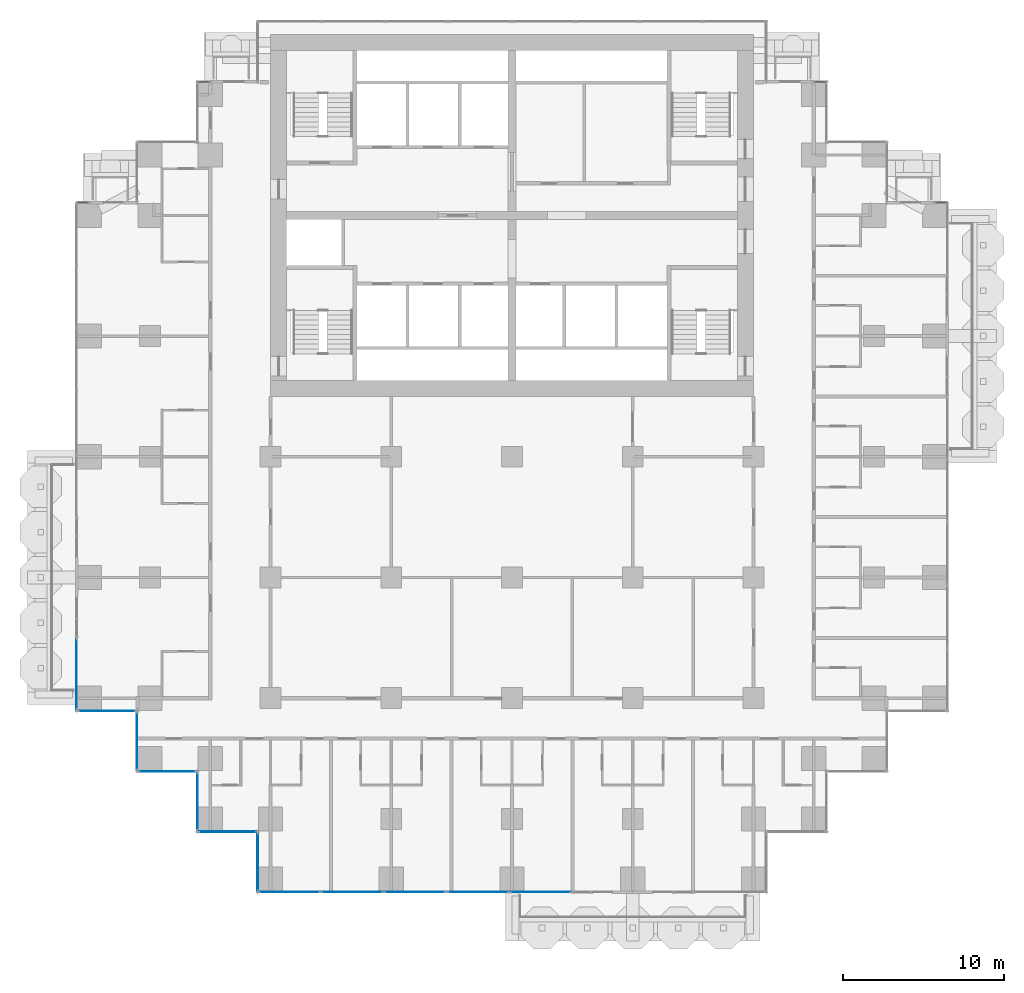
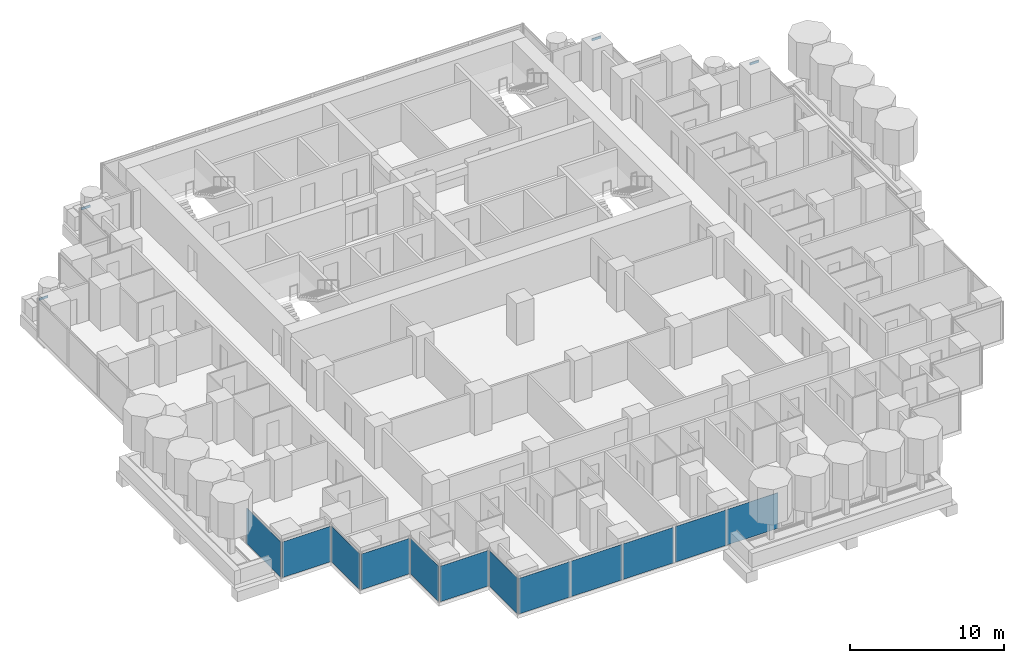
# One storey, part 7 of 20: 12 plates, 4 members, 13 elements without a shape of their own.
"""IFC4 building model written with IfcOpenShell, lengths in metres."""

from ifc_helpers import new_model, si_unit, direction, frame, origin, origin_2d, place, context, subcontext, project, spatial, rectangle, extrude, material, layer, layer_set, material_profile, profile_set, type_object, element, aggregate, save


model = new_model("IFC4")

# Units and contexts
model_context = context("Model", 3, precision=1e-05, world=origin(), true_north=direction((0.0, 1.0)))
body_context = subcontext(model_context, "Body", "Model", "MODEL_VIEW")
ifc_project = project(units=[si_unit("LENGTHUNIT", "METRE"), si_unit("AREAUNIT", "SQUARE_METRE"), si_unit("VOLUMEUNIT", "CUBIC_METRE"), si_unit("PLANEANGLEUNIT", "RADIAN"), si_unit("MASSUNIT", "GRAM", prefix="KILO")], contexts=[model_context])

# Site, building, storey
site_placement = place(None, origin())
site = spatial("IfcSite", under=ifc_project, at=site_placement, CompositionType="ELEMENT")
building_placement = place(site_placement, origin())
building = spatial("IfcBuilding", under=site, at=building_placement, Name="Pilkhan Gate Tower", CompositionType="ELEMENT")
storey_placement = place(building_placement, frame((0.0, 0.0, 92.300048828125)))
storey = spatial("IfcBuildingStorey", under=building, at=storey_placement, Name="L22", CompositionType="ELEMENT", Elevation=92.300048828125)

# Curtain wall, member
ifc_material_1 = material(Name="Pale anodised aluminium, clear low-iron double glazing", Category="aluminium")
curtain_wall_type = type_object("IfcCurtainWallType", Name="Hotel unitised curtain wall CW-H", PredefinedType="USERDEFINED", material=ifc_material_1)
curtain_wall_1_placement = place(storey_placement, origin())
curtain_wall_1 = element("IfcCurtainWall", 1, at=curtain_wall_1_placement, inside=storey, type_object=curtain_wall_type, Name="Hotel unitised curtain wall CW-H L22 N", ObjectType="UNITISED CURTAIN WALL", PredefinedType="USERDEFINED")
ifc_material_2 = material(Name="Pale anodised aluminium", Category="aluminium")
ifc_material_profile = material_profile(ifc_material_2, rectangle(XDim=0.06494140625, YDim=0.179931640625, at=origin_2d()), Name="Transom 180x65")
ifc_profile_set = profile_set([ifc_material_profile], Name="Pale anodised aluminium")
member_type = type_object("IfcMemberType", Name="Transom CW-H 180x65", PredefinedType="USERDEFINED", material=ifc_profile_set)
member_1_placement = place(storey_placement, frame((101.31494140625, 83.294921875, 2.909912109375), z_axis=(1.0, 0.0, 0.0), x_axis=(0.0, 1.0, 0.0)))
member_1 = element("IfcMember", 2, at=member_1_placement, type_object=member_type, Name="CW-H transom 1", ObjectType="TRANSOM", PredefinedType="USERDEFINED", context=body_context, shape_type="SweptSolid", body=[
    extrude(rectangle(XDim=0.06494140625, YDim=0.179931640625, at=origin_2d()), origin(), (0.0, 0.0, 1.0), 0.6650390625),
])
aggregate(curtain_wall_1, [member_1])

curtain_wall_2_placement = place(storey_placement, origin())
curtain_wall_2 = element("IfcCurtainWall", 3, at=curtain_wall_2_placement, inside=storey, type_object=curtain_wall_type, Name="Hotel unitised curtain wall CW-H L22 N", ObjectType="UNITISED CURTAIN WALL", PredefinedType="USERDEFINED")
member_2_placement = place(storey_placement, frame((93.81494140625, 90.794921875, 2.909912109375), z_axis=(1.0, 0.0, 0.0), x_axis=(0.0, 1.0, 0.0)))
member_2 = element("IfcMember", 4, at=member_2_placement, type_object=member_type, Name="CW-H transom 1", ObjectType="TRANSOM", PredefinedType="USERDEFINED", context=body_context, shape_type="SweptSolid", body=[
    extrude(rectangle(XDim=0.06494140625, YDim=0.179931640625, at=origin_2d()), origin(), (0.0, 0.0, 1.0), 0.6650390625),
])
aggregate(curtain_wall_2, [member_2])

curtain_wall_3_placement = place(storey_placement, origin())
curtain_wall_3 = element("IfcCurtainWall", 5, at=curtain_wall_3_placement, inside=storey, type_object=curtain_wall_type, Name="Hotel unitised curtain wall CW-H L22 N", ObjectType="UNITISED CURTAIN WALL", PredefinedType="USERDEFINED")
member_3_placement = place(storey_placement, frame((55.52001953125, 90.794921875, 2.909912109375), z_axis=(1.0, 0.0, 0.0), x_axis=(0.0, 1.0, 0.0)))
member_3 = element("IfcMember", 6, at=member_3_placement, type_object=member_type, Name="CW-H transom 1", ObjectType="TRANSOM", PredefinedType="USERDEFINED", context=body_context, shape_type="SweptSolid", body=[
    extrude(rectangle(XDim=0.06494140625, YDim=0.179931640625, at=origin_2d()), origin(), (0.0, 0.0, 1.0), 0.6650390625),
])
aggregate(curtain_wall_3, [member_3])

curtain_wall_4_placement = place(storey_placement, origin())
curtain_wall_4 = element("IfcCurtainWall", 7, at=curtain_wall_4_placement, inside=storey, type_object=curtain_wall_type, Name="Hotel unitised curtain wall CW-H L22 N", ObjectType="UNITISED CURTAIN WALL", PredefinedType="USERDEFINED")
member_4_placement = place(storey_placement, frame((48.02001953125, 83.294921875, 2.909912109375), z_axis=(1.0, 0.0, 0.0), x_axis=(0.0, 1.0, 0.0)))
member_4 = element("IfcMember", 8, at=member_4_placement, type_object=member_type, Name="CW-H transom 1", ObjectType="TRANSOM", PredefinedType="USERDEFINED", context=body_context, shape_type="SweptSolid", body=[
    extrude(rectangle(XDim=0.06494140625, YDim=0.179931640625, at=origin_2d()), origin(), (0.0, 0.0, 1.0), 0.6650390625),
])
aggregate(curtain_wall_4, [member_4])

# Curtain wall, plate
curtain_wall_5_placement = place(storey_placement, origin())
curtain_wall_5 = element("IfcCurtainWall", 9, at=curtain_wall_5_placement, inside=storey, type_object=curtain_wall_type, Name="Hotel unitised curtain wall CW-H L22 W", ObjectType="UNITISED CURTAIN WALL", PredefinedType="USERDEFINED")
ifc_material_3 = material(Name="Clear low-iron double glazing", Category="glass")
ifc_layer = layer(ifc_material_3, 0.035888671875)
ifc_layer_set = layer_set([ifc_layer], Name="Glass panel CW-H 36")
plate_type = type_object("IfcPlateType", Name="Glass panel CW-H 36", PredefinedType="CURTAIN_PANEL", material=ifc_layer_set)
plate_1_placement = place(storey_placement, frame((47.955078125, 53.9775390625, 0.0), z_axis=(0.0, 0.0, 1.0), x_axis=(0.0, 1.0, 0.0)))
plate_1 = element("IfcPlate", 10, at=plate_1_placement, type_object=plate_type, Name="CW-H panel 1", PredefinedType="CURTAIN_PANEL", context=body_context, shape_type="SweptSolid", body=[
    extrude(rectangle(XDim=4.4150390625, YDim=0.035888671875, at=origin_2d()), origin(), (0.0, 0.0, 1.0), 2.820068359375),
])
aggregate(curtain_wall_5, [plate_1])

curtain_wall_6_placement = place(storey_placement, origin())
curtain_wall_6 = element("IfcCurtainWall", 11, at=curtain_wall_6_placement, inside=storey, type_object=curtain_wall_type, Name="Hotel unitised curtain wall CW-H L22 S", ObjectType="UNITISED CURTAIN WALL", PredefinedType="USERDEFINED")
plate_2_placement = place(storey_placement, frame((49.830078125, 51.705078125, 0.0), z_axis=(0.0, 0.0, 1.0), x_axis=(1.0, 0.0, 0.0)))
plate_2 = element("IfcPlate", 12, at=plate_2_placement, type_object=plate_type, Name="CW-H panel 1", PredefinedType="CURTAIN_PANEL", context=body_context, shape_type="SweptSolid", body=[
    extrude(rectangle(XDim=3.6201171875, YDim=0.035888671875, at=origin_2d()), origin(), (0.0, 0.0, 1.0), 2.820068359375),
])
aggregate(curtain_wall_6, [plate_2])

curtain_wall_7_placement = place(storey_placement, origin())
curtain_wall_7 = element("IfcCurtainWall", 13, at=curtain_wall_7_placement, inside=storey, type_object=curtain_wall_type, Name="Hotel unitised curtain wall CW-H L22 W", ObjectType="UNITISED CURTAIN WALL", PredefinedType="USERDEFINED")
plate_3_placement = place(storey_placement, frame((51.705078125, 49.830078125, 0.0), z_axis=(0.0, 0.0, 1.0), x_axis=(0.0, 1.0, 0.0)))
plate_3 = element("IfcPlate", 14, at=plate_3_placement, type_object=plate_type, Name="CW-H panel 1", PredefinedType="CURTAIN_PANEL", context=body_context, shape_type="SweptSolid", body=[
    extrude(rectangle(XDim=3.6201171875, YDim=0.035888671875, at=origin_2d()), origin(), (0.0, 0.0, 1.0), 2.820068359375),
])
aggregate(curtain_wall_7, [plate_3])

curtain_wall_8_placement = place(storey_placement, origin())
curtain_wall_8 = element("IfcCurtainWall", 15, at=curtain_wall_8_placement, inside=storey, type_object=curtain_wall_type, Name="Hotel unitised curtain wall CW-H L22 S", ObjectType="UNITISED CURTAIN WALL", PredefinedType="USERDEFINED")
plate_4_placement = place(storey_placement, frame((53.580078125, 47.955078125, 0.0), z_axis=(0.0, 0.0, 1.0), x_axis=(1.0, 0.0, 0.0)))
plate_4 = element("IfcPlate", 16, at=plate_4_placement, type_object=plate_type, Name="CW-H panel 1", PredefinedType="CURTAIN_PANEL", context=body_context, shape_type="SweptSolid", body=[
    extrude(rectangle(XDim=3.6201171875, YDim=0.035888671875, at=origin_2d()), origin(), (0.0, 0.0, 1.0), 2.820068359375),
])
aggregate(curtain_wall_8, [plate_4])

curtain_wall_9_placement = place(storey_placement, origin())
curtain_wall_9 = element("IfcCurtainWall", 17, at=curtain_wall_9_placement, inside=storey, type_object=curtain_wall_type, Name="Hotel unitised curtain wall CW-H L22 W", ObjectType="UNITISED CURTAIN WALL", PredefinedType="USERDEFINED")
plate_5_placement = place(storey_placement, frame((55.455078125, 46.080078125, 0.0), z_axis=(0.0, 0.0, 1.0), x_axis=(0.0, 1.0, 0.0)))
plate_5 = element("IfcPlate", 18, at=plate_5_placement, type_object=plate_type, Name="CW-H panel 1", PredefinedType="CURTAIN_PANEL", context=body_context, shape_type="SweptSolid", body=[
    extrude(rectangle(XDim=3.6201171875, YDim=0.035888671875, at=origin_2d()), origin(), (0.0, 0.0, 1.0), 2.820068359375),
])
aggregate(curtain_wall_9, [plate_5])

curtain_wall_10_placement = place(storey_placement, origin())
curtain_wall_10 = element("IfcCurtainWall", 19, at=curtain_wall_10_placement, inside=storey, type_object=curtain_wall_type, Name="Hotel unitised curtain wall CW-H L22 S", ObjectType="UNITISED CURTAIN WALL", PredefinedType="USERDEFINED")
plate_6_placement = place(storey_placement, frame((57.330078125, 44.205078125, 0.0), z_axis=(0.0, 0.0, 1.0), x_axis=(1.0, 0.0, 0.0)))
plate_6 = element("IfcPlate", 20, at=plate_6_placement, type_object=plate_type, Name="CW-H panel 1", PredefinedType="CURTAIN_PANEL", context=body_context, shape_type="SweptSolid", body=[
    extrude(rectangle(XDim=3.6201171875, YDim=0.035888671875, at=origin_2d()), origin(), (0.0, 0.0, 1.0), 2.820068359375),
])
aggregate(curtain_wall_10, [plate_6])

curtain_wall_11_placement = place(storey_placement, origin())
curtain_wall_11 = element("IfcCurtainWall", 21, at=curtain_wall_11_placement, inside=storey, type_object=curtain_wall_type, Name="Hotel unitised curtain wall CW-H L22 W", ObjectType="UNITISED CURTAIN WALL", PredefinedType="USERDEFINED")
plate_7_placement = place(storey_placement, frame((59.205078125, 42.330078125, 0.0), z_axis=(0.0, 0.0, 1.0), x_axis=(0.0, 1.0, 0.0)))
plate_7 = element("IfcPlate", 22, at=plate_7_placement, type_object=plate_type, Name="CW-H panel 1", PredefinedType="CURTAIN_PANEL", context=body_context, shape_type="SweptSolid", body=[
    extrude(rectangle(XDim=3.6201171875, YDim=0.035888671875, at=origin_2d()), origin(), (0.0, 0.0, 1.0), 2.820068359375),
])
aggregate(curtain_wall_11, [plate_7])

# Curtain wall, plates
curtain_wall_12_placement = place(storey_placement, origin())
curtain_wall_12 = element("IfcCurtainWall", 23, at=curtain_wall_12_placement, inside=storey, type_object=curtain_wall_type, Name="Hotel unitised curtain wall CW-H L22 S", ObjectType="UNITISED CURTAIN WALL", PredefinedType="USERDEFINED")
plate_8_placement = place(storey_placement, frame((61.17578125, 40.455078125, 0.0), z_axis=(0.0, 0.0, 1.0), x_axis=(1.0, 0.0, 0.0)))
plate_8 = element("IfcPlate", 24, at=plate_8_placement, type_object=plate_type, Name="CW-H panel 1", PredefinedType="CURTAIN_PANEL", context=body_context, shape_type="SweptSolid", body=[
    extrude(rectangle(XDim=3.8115234375, YDim=0.035888671875, at=origin_2d()), origin(), (0.0, 0.0, 1.0), 2.820068359375),
])
plate_9_placement = place(storey_placement, frame((65.068603515625, 40.455078125, 0.0), z_axis=(0.0, 0.0, 1.0), x_axis=(1.0, 0.0, 0.0)))
plate_9 = element("IfcPlate", 25, at=plate_9_placement, type_object=plate_type, Name="CW-H panel 2", PredefinedType="CURTAIN_PANEL", context=body_context, shape_type="SweptSolid", body=[
    extrude(rectangle(XDim=3.843994140625, YDim=0.035888671875, at=origin_2d()), origin(), (0.0, 0.0, 1.0), 2.820068359375),
])
plate_10_placement = place(storey_placement, frame((68.961181640625, 40.455078125, 0.0), z_axis=(0.0, 0.0, 1.0), x_axis=(1.0, 0.0, 0.0)))
plate_10 = element("IfcPlate", 26, at=plate_10_placement, type_object=plate_type, Name="CW-H panel 3", PredefinedType="CURTAIN_PANEL", context=body_context, shape_type="SweptSolid", body=[
    extrude(rectangle(XDim=3.8115234375, YDim=0.035888671875, at=origin_2d()), origin(), (0.0, 0.0, 1.0), 2.820068359375),
])
aggregate(curtain_wall_12, [plate_8, plate_9, plate_10])

curtain_wall_13_placement = place(storey_placement, origin())
curtain_wall_13 = element("IfcCurtainWall", 27, at=curtain_wall_13_placement, inside=storey, type_object=curtain_wall_type, Name="Hotel unitised curtain wall CW-H L22 S", ObjectType="UNITISED CURTAIN WALL", PredefinedType="USERDEFINED")
plate_11_placement = place(storey_placement, frame((72.90283203125, 40.455078125, 0.0), z_axis=(0.0, 0.0, 1.0), x_axis=(1.0, 0.0, 0.0)))
plate_11 = element("IfcPlate", 28, at=plate_11_placement, type_object=plate_type, Name="CW-H panel 1", PredefinedType="CURTAIN_PANEL", context=body_context, shape_type="SweptSolid", body=[
    extrude(rectangle(XDim=3.8115234375, YDim=0.035888671875, at=origin_2d()), origin(), (0.0, 0.0, 1.0), 2.820068359375),
])
plate_12_placement = place(storey_placement, frame((76.779296875, 40.455078125, 0.0), z_axis=(0.0, 0.0, 1.0), x_axis=(1.0, 0.0, 0.0)))
plate_12 = element("IfcPlate", 29, at=plate_12_placement, type_object=plate_type, Name="CW-H panel 2", PredefinedType="CURTAIN_PANEL", context=body_context, shape_type="SweptSolid", body=[
    extrude(rectangle(XDim=3.8115234375, YDim=0.035888671875, at=origin_2d()), origin(), (0.0, 0.0, 1.0), 2.820068359375),
])
aggregate(curtain_wall_13, [plate_11, plate_12])

save(model, "model.ifc")
